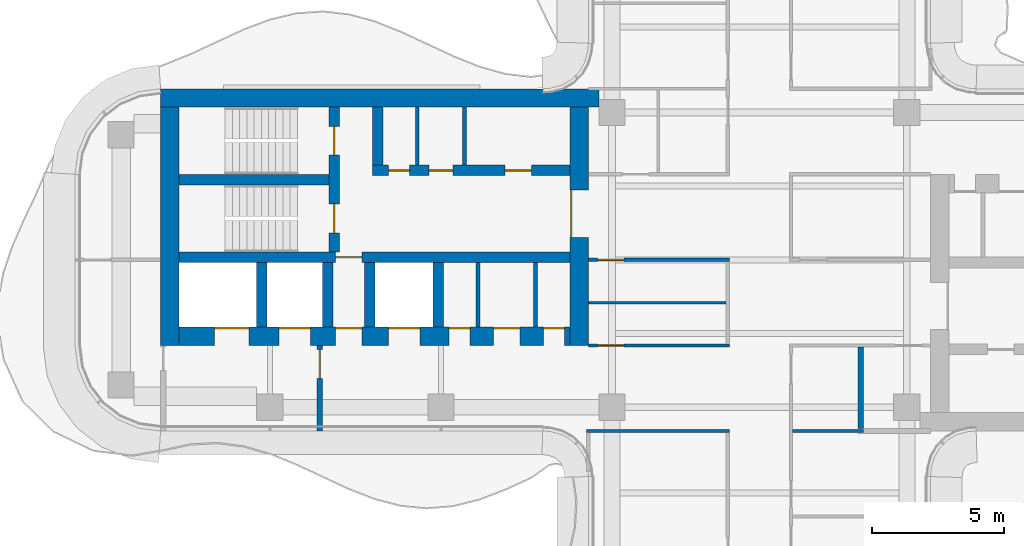
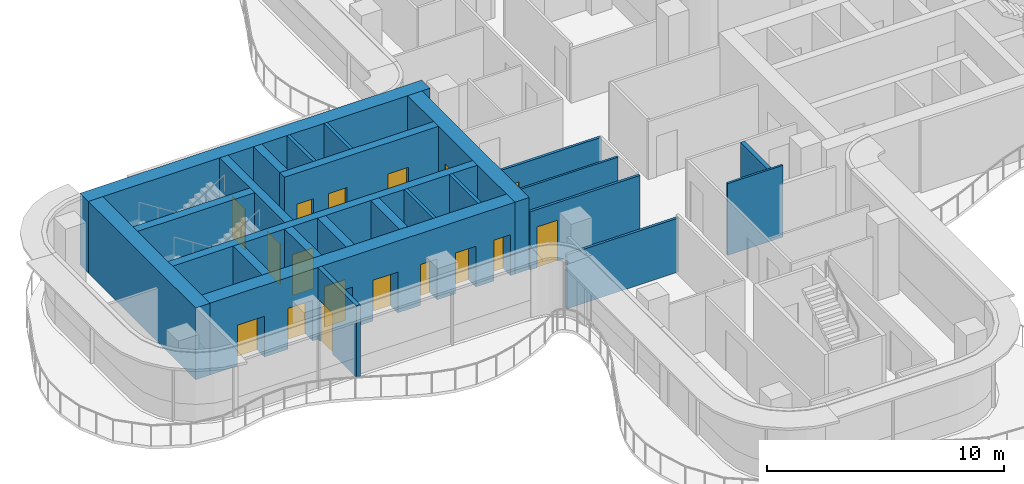
# One storey, part 11 of 16: 24 walls, 17 doors, 17 openings.
"""IFC4 building model written with IfcOpenShell, lengths in metres."""

import ifcopenshell
import ifcopenshell.guid

model = None  # the IFC model being written
_history = None  # IfcOwnerHistory: only IFC2X3 demands one
_inside = {}  # id of a spatial element -> (the spatial element, [elements in it])
_under = {}  # id of a project, library or spatial element -> (it, [spatial elements below it])
_declared = {}  # id of a project -> (the project, [libraries it declares])
_typed = {}  # id of a type object -> (the type object, [elements of that type])
_made_of = {}  # id of a material, layer set ... -> (it, [elements and type objects made of it])


def new_model(schema):
    """Start an empty IFC model of exactly this schema.

    Asked for "IFC4X3", IfcOpenShell would pick the latest addendum, in which some entities
    have other attributes; the version numbers below select the first issue.
    IFC2X3 requires an IfcOwnerHistory on every rooted entity: one is made here for all.
    """
    global model, _history
    if schema == "IFC4X3":
        model = ifcopenshell.file(schema_version=(4, 3, 0, 0))
    else:
        model = ifcopenshell.file(schema=schema)
    _inside.clear()
    _under.clear()
    _declared.clear()
    _typed.clear()
    _made_of.clear()
    _history = None
    if model.schema == "IFC2X3":
        org = make("IfcOrganization", Name="unknown")
        user = make(
            "IfcPersonAndOrganization",
            ThePerson=make("IfcPerson", FamilyName="unknown"),
            TheOrganization=org,
        )
        app = make(
            "IfcApplication",
            ApplicationDeveloper=org,
            Version="unknown",
            ApplicationFullName="unknown",
            ApplicationIdentifier="unknown",
        )
        _history = make(
            "IfcOwnerHistory",
            OwningUser=user,
            OwningApplication=app,
            ChangeAction="ADDED",
            CreationDate=0,
        )
    return model


def make(cls, **values):
    """One entity of the class cls with the attributes given. An attribute that is None is left unset."""
    return model.create_entity(
        cls, **{name: value for name, value in values.items() if value is not None}
    )


def rooted(cls, **values):
    """An entity with a GlobalId (a new one), such as an element, a storey or a relation."""
    return make(cls, GlobalId=ifcopenshell.guid.new(), OwnerHistory=_history, **values)


def si_unit(unit_type, name, prefix=None):
    """IfcSIUnit, for example si_unit("LENGTHUNIT", "METRE", prefix="MILLI")."""
    return make("IfcSIUnit", UnitType=unit_type, Prefix=prefix, Name=name)


def assignment(units):
    """IfcUnitAssignment: the units of a project."""
    return None if units is None else make("IfcUnitAssignment", Units=units)


def point(xyz):
    """IfcCartesianPoint."""
    return None if xyz is None else make("IfcCartesianPoint", Coordinates=xyz)


def direction(xyz):
    """IfcDirection."""
    return None if xyz is None else make("IfcDirection", DirectionRatios=xyz)


def frame(location, z_axis=None, x_axis=None):
    """IfcAxis2Placement3D, a coordinate frame: its origin and axes. An axis left out is left unset."""
    return make(
        "IfcAxis2Placement3D",
        Location=point(location),
        Axis=direction(z_axis),
        RefDirection=direction(x_axis),
    )


def frame_2d(location, x_axis=None):
    """IfcAxis2Placement2D, a coordinate frame in the plane: its origin and x axis."""
    return make(
        "IfcAxis2Placement2D", Location=point(location), RefDirection=direction(x_axis)
    )


def origin():
    """The frame at (0, 0, 0) with its axes left unset."""
    return frame((0.0, 0.0, 0.0))


def place(relative_to, where):
    """IfcLocalPlacement: puts the frame where relative to a parent placement (None: the world)."""
    return make(
        "IfcLocalPlacement", PlacementRelTo=relative_to, RelativePlacement=where
    )


def context(
    kind, dimensions, precision=None, world=None, true_north=None, identifier=None
):
    """IfcGeometricRepresentationContext, for example the 3D "Model" context."""
    return make(
        "IfcGeometricRepresentationContext",
        ContextIdentifier=identifier,
        ContextType=kind,
        CoordinateSpaceDimension=dimensions,
        Precision=precision,
        WorldCoordinateSystem=world,
        TrueNorth=true_north,
    )


def subcontext(parent, identifier, kind, view, scale=None):
    """IfcGeometricRepresentationSubContext, for example "Body" below "Model"."""
    return make(
        "IfcGeometricRepresentationSubContext",
        ContextIdentifier=identifier,
        ContextType=kind,
        ParentContext=parent,
        TargetScale=scale,
        TargetView=view,
    )


def project(units=None, contexts=None):
    """IfcProject with its units and contexts."""
    return rooted(
        "IfcProject",
        Name="project",
        RepresentationContexts=contexts,
        UnitsInContext=assignment(units),
    )


def spatial(cls, under=None, at=None, **own):
    """A site, building, storey or space (cls), placed at a placement, below another one or the project."""
    s = rooted(cls, ObjectPlacement=at, **own)
    if under is not None:
        _under.setdefault(under.id(), (under, []))[1].append(s)
    return s


def profile(cls, at=None, kind="AREA", **sizes):
    """A parametric profile (cls). Its sizes go by their IFC names, for example OverallWidth=200.0."""
    return make(cls, ProfileType=kind, Position=at, **sizes)


def rectangle(**sizes):
    """IfcRectangleProfileDef."""
    return profile("IfcRectangleProfileDef", **sizes)


def extrude(swept, where, along, depth):
    """IfcExtrudedAreaSolid: the profile swept, set in the frame where, extruded along a direction by depth."""
    return make(
        "IfcExtrudedAreaSolid",
        SweptArea=swept,
        Position=where,
        ExtrudedDirection=direction(along),
        Depth=depth,
    )


def shape(context_of_items, identifier, shape_type, items):
    """IfcShapeRepresentation: the items that make up one representation, for example the "Body"."""
    return make(
        "IfcShapeRepresentation",
        ContextOfItems=context_of_items,
        RepresentationIdentifier=identifier,
        RepresentationType=shape_type,
        Items=items,
    )


def source(mapping_origin, context_of_items, identifier, shape_type, items):
    """IfcRepresentationMap: a shape defined once, which mapped items show again and again."""
    return make(
        "IfcRepresentationMap",
        MappingOrigin=mapping_origin,
        MappedRepresentation=shape(context_of_items, identifier, shape_type, items),
    )


def transform(
    local_origin,
    x_axis=None,
    y_axis=None,
    z_axis=None,
    scale=None,
    scale2=None,
    scale3=None,
    uniform=True,
):
    """IfcCartesianTransformationOperator3D, or its non-uniform kind. x_axis, y_axis, z_axis: its Axis1, 2, 3."""
    if uniform:
        return make(
            "IfcCartesianTransformationOperator3D",
            Axis1=direction(x_axis),
            Axis2=direction(y_axis),
            LocalOrigin=point(local_origin),
            Scale=scale,
            Axis3=direction(z_axis),
        )
    return make(
        "IfcCartesianTransformationOperator3DnonUniform",
        Axis1=direction(x_axis),
        Axis2=direction(y_axis),
        LocalOrigin=point(local_origin),
        Scale=scale,
        Axis3=direction(z_axis),
        Scale2=scale2,
        Scale3=scale3,
    )


def mapped(mapping_source, mapping_target):
    """IfcMappedItem: shows the shape of a source again, moved by a transform."""
    return make(
        "IfcMappedItem", MappingSource=mapping_source, MappingTarget=mapping_target
    )


def material(Name=None, Category=None):
    """IfcMaterial."""
    return make("IfcMaterial", Name=Name, Category=Category)


def layer(
    of_material, thickness, ventilated=None, Name=None, Category=None, Priority=None
):
    """IfcMaterialLayer: one layer of a wall or slab, of a material (None: an air gap)."""
    return make(
        "IfcMaterialLayer",
        Material=of_material,
        LayerThickness=thickness,
        IsVentilated=ventilated,
        Name=Name,
        Category=Category,
        Priority=Priority,
    )


def layer_set(layers, Name=None):
    """IfcMaterialLayerSet."""
    return make("IfcMaterialLayerSet", MaterialLayers=layers, LayerSetName=Name)


def made_of(thing, what):
    """Note that an element or type object is made of a material, layer set ...; save() writes the relation."""
    if what is not None:
        _made_of.setdefault(what.id(), (what, []))[1].append(thing)
    return thing


def type_object(cls, material=None, **own):
    """A type object (cls), such as IfcWallType, which elements share."""
    return made_of(rooted(cls, **own), material)


def element(
    cls,
    number,
    at=None,
    inside=None,
    cuts=None,
    type_object=None,
    material=None,
    context=None,
    identifier="Body",
    shape_type=None,
    held_by="IfcProductDefinitionShape",
    body=None,
    shapes=None,
    **own,
):
    """One element of the class cls, such as IfcWall. Its Tag is "e" and its number.

    at: its placement. inside: the storey or other place that contains it. cuts: it is an
    opening in that element (IfcRelVoidsElement). A single representation is given by context,
    identifier, shape_type and body (its items); several are given by shapes. held_by: the class
    of the entity that holds the representations. save() writes the other relations.
    """
    e = rooted(cls, Tag="e%d" % number, ObjectPlacement=at, **own)
    if body is not None:
        shapes = [shape(context, identifier, shape_type, body)]
    if shapes is not None:
        e.Representation = make(held_by, Representations=shapes)
    if inside is not None:
        _inside.setdefault(inside.id(), (inside, []))[1].append(e)
    if cuts is not None:
        rooted(
            "IfcRelVoidsElement", RelatingBuildingElement=cuts, RelatedOpeningElement=e
        )
    if type_object is not None:
        _typed.setdefault(type_object.id(), (type_object, []))[1].append(e)
    return made_of(e, material)


def fill(opening, filler):
    """IfcRelFillsElement: the door or window that sits in an opening."""
    return rooted(
        "IfcRelFillsElement",
        RelatingOpeningElement=opening,
        RelatedBuildingElement=filler,
    )


def aggregate(whole, parts):
    """IfcRelAggregates: a whole, such as a stair, and the parts it consists of."""
    return rooted("IfcRelAggregates", RelatingObject=whole, RelatedObjects=parts)


def save(model, path):
    """Write the relations noted so far, then the file.

    IfcRelAggregates (storeys below a building ...), IfcRelContainedInSpatialStructure (elements
    in a storey), IfcRelDefinesByType, IfcRelAssociatesMaterial and IfcRelDeclares: one each for
    every whole, place, type object, material and project.
    """
    for whole, parts in _under.values():
        aggregate(whole, parts)
    for where, things in _inside.values():
        rooted(
            "IfcRelContainedInSpatialStructure",
            RelatedElements=things,
            RelatingStructure=where,
        )
    for kind, things in _typed.values():
        rooted("IfcRelDefinesByType", RelatedObjects=things, RelatingType=kind)
    for what, things in _made_of.values():
        rooted("IfcRelAssociatesMaterial", RelatedObjects=things, RelatingMaterial=what)
    for by, libraries in _declared.values():
        rooted("IfcRelDeclares", RelatingContext=by, RelatedDefinitions=libraries)
    model.write(path)


model = new_model("IFC4")

# Units and contexts
model_context = context("Model", 3, precision=1e-05, world=origin(), true_north=direction((0.0, 1.0)))
body_context = subcontext(model_context, "Body", "Model", "MODEL_VIEW")
ifc_project = project(units=[si_unit("LENGTHUNIT", "METRE"), si_unit("AREAUNIT", "SQUARE_METRE"), si_unit("VOLUMEUNIT", "CUBIC_METRE"), si_unit("PLANEANGLEUNIT", "RADIAN"), si_unit("MASSUNIT", "GRAM", prefix="KILO")], contexts=[model_context])

# Site, building, storey
site_placement = place(None, origin())
site = spatial("IfcSite", under=ifc_project, at=site_placement, CompositionType="ELEMENT")
building_placement = place(site_placement, origin())
building = spatial("IfcBuilding", under=site, at=building_placement, Name="Trellis Farm Tower", CompositionType="ELEMENT")
storey_placement = place(building_placement, frame((0.0, 0.0, 298.89990234375)))
storey = spatial("IfcBuildingStorey", under=building, at=storey_placement, Name="L67", CompositionType="ELEMENT", Elevation=298.89990234375)

# Wall
ifc_material_1 = material(Name="Plasterboard on steel studs", Category="steel")
ifc_layer_1 = layer(ifc_material_1, 0.10009765625)
ifc_layer_set_1 = layer_set([ifc_layer_1], Name="PARTITION 100 STUD EI 30")
wall_type_1 = type_object("IfcWallType", Name="PARTITION 100 STUD EI 30", PredefinedType="PARTITIONING", material=ifc_layer_set_1)
wall_1_placement = place(storey_placement, frame((1.262451171875, -6.5, 0.0), z_axis=(0.0, 0.0, 1.0), x_axis=(1.0, 0.0, 0.0)))
element("IfcWall", 1, at=wall_1_placement, inside=storey, type_object=wall_type_1, Name="Partition PW2", PredefinedType="PARTITIONING", context=body_context, shape_type="SweptSolid", body=[
    extrude(rectangle(XDim=2.6875, YDim=0.10009765625, at=frame_2d((1.34375, 0.0))), origin(), (0.0, 0.0, 1.0), 3.7001953125),
])

# Wall, opening, door
ifc_material_2 = material(Name="Concrete C50/60", Category="concrete")
ifc_layer_2 = layer(ifc_material_2, 0.699951171875)
ifc_layer_set_2 = layer_set([ifc_layer_2], Name="CORE OUTER WALL 700 CONCRETE C50/60")
wall_type_2 = type_object("IfcWallType", Name="CORE OUTER WALL 700 CONCRETE C50/60", PredefinedType="SHEAR", material=ifc_layer_set_2)
shared_shape_1 = source(origin(), body_context, "Body", "SweptSolid", [
    extrude(rectangle(XDim=9.050048828125, YDim=0.699951171875, at=frame_2d((4.52490234375, 0.0))), origin(), (0.0, 0.0, 1.0), 3.7001953125),
])
wall_2_placement = place(storey_placement, frame((-6.85009765625, 5.800048828125, 0.0), z_axis=(0.0, 0.0, 1.0), x_axis=(0.0, -1.0, 0.0)))
wall_2 = element("IfcWall", 2, at=wall_2_placement, inside=storey, type_object=wall_type_2, Name="Core wall", PredefinedType="SHEAR", context=body_context, shape_type="MappedRepresentation", body=[
    mapped(shared_shape_1, transform((0.0, 0.0, 0.0))),
])
shared_shape_2 = source(origin(), body_context, "Body", "SweptSolid", [
    extrude(rectangle(XDim=1.800048828125, YDim=2.10009765625, at=frame_2d((0.89990234375, 1.050048828125))), frame((0.0, 0.360107421875, 0.0), z_axis=(0.0, -1.0, 0.0), x_axis=(1.0, 0.0, 0.0)), (0.0, 0.0, 1.0), 0.72021484375),
])
opening_1_placement = place(wall_2_placement, frame((3.14990234375, 0.0, 0.0)))
opening_1 = element("IfcOpeningElement", 3, at=opening_1_placement, cuts=wall_2, Name="Opening DC87", PredefinedType="OPENING", context=body_context, shape_type="MappedRepresentation", body=[
    mapped(shared_shape_2, transform((0.0, 0.0, 0.0))),
])
ifc_material_3 = material(Name="Steel", Category="steel")
door_type_1 = type_object("IfcDoorType", Name="CORE FIRE DOOR DOUBLE 1800 X 2100", OperationType="DOUBLE_DOOR_SINGLE_SWING", PredefinedType="DOOR", material=ifc_material_3)
shared_shape_3 = source(origin(), body_context, "Body", "SweptSolid", [
    extrude(rectangle(XDim=1.800048828125, YDim=2.10009765625, at=frame_2d((0.89990234375, 1.050048828125))), frame((0.0, -0.27490234375, 0.0), z_axis=(0.0, -1.0, 0.0), x_axis=(1.0, 0.0, 0.0)), (0.0, 0.0, 1.0), 0.050048828125),
])
door_1_placement = place(opening_1_placement, origin())
door_1 = element("IfcDoor", 4, at=door_1_placement, inside=storey, type_object=door_type_1, Name="Core door", OperationType="DOUBLE_DOOR_SINGLE_SWING", OverallHeight=2.10009765625, OverallWidth=1.800048828125, PredefinedType="DOOR", context=body_context, shape_type="MappedRepresentation", body=[
    mapped(shared_shape_3, transform((0.0, 0.0, 0.0))),
])
fill(opening_1, door_1)

# Walls
wall_3_placement = place(storey_placement, frame((-22.39990234375, 5.800048828125, 0.0), z_axis=(0.0, 0.0, 1.0), x_axis=(0.0, -1.0, 0.0)))
element("IfcWall", 5, at=wall_3_placement, inside=storey, type_object=wall_type_2, Name="Core wall", PredefinedType="SHEAR", context=body_context, shape_type="MappedRepresentation", body=[
    mapped(shared_shape_1, transform((0.0, 0.0, 0.0))),
])
ifc_layer_3 = layer(ifc_material_2, 0.39990234375)
ifc_layer_set_3 = layer_set([ifc_layer_3], Name="CORE INNER WALL 400 CONCRETE C50/60")
wall_type_3 = type_object("IfcWallType", Name="CORE INNER WALL 400 CONCRETE C50/60", PredefinedType="SHEAR", material=ifc_layer_set_3)
shared_shape_4 = source(origin(), body_context, "Body", "SweptSolid", [
    extrude(rectangle(XDim=2.449951171875, YDim=0.39990234375, at=frame_2d((1.22509765625, 0.0))), origin(), (0.0, 0.0, 1.0), 3.7001953125),
])
for number, where, z_axis, x_axis, name in (
    (6, (-12.199951171875, -0.10009765625, 0.0), (0.0, 0.0, 1.0), (0.0, -1.0, 0.0), "Core wall"),
    (7, (-14.800048828125, -0.10009765625, 0.0), (0.0, 0.0, 1.0), (0.0, -1.0, 0.0), "Core wall"),
    (8, (-16.39990234375, -0.10009765625, 0.0), (0.0, 0.0, 1.0), (0.0, -1.0, 0.0), "Core wall"),
    (9, (-18.89990234375, -0.10009765625, 0.0), (0.0, 0.0, 1.0), (0.0, -1.0, 0.0), "Core wall"),
):
    element("IfcWall", number, at=place(storey_placement, frame(where, z_axis=z_axis, x_axis=x_axis)), inside=storey, type_object=wall_type_3, Name=name, PredefinedType="SHEAR", context=body_context, shape_type="MappedRepresentation", body=[
        mapped(shared_shape_4, transform((0.0, 0.0, 0.0))),
    ])

# Wall, opening, door
ifc_material_4 = material(Name="Masonry blockwork", Category="masonry")
ifc_layer_4 = layer(ifc_material_4, 0.199951171875)
ifc_layer_set_4 = layer_set([ifc_layer_4], Name="FIRE LOBBY PARTITION 200 BLOCKWORK")
wall_type_4 = type_object("IfcWallType", Name="FIRE LOBBY PARTITION 200 BLOCKWORK", PredefinedType="PARTITIONING", material=ifc_layer_set_4)
shared_shape_5 = source(origin(), body_context, "Body", "SweptSolid", [
    extrude(rectangle(XDim=3.25, YDim=0.199951171875, at=frame_2d((1.625, 0.0))), origin(), (0.0, 0.0, 1.0), 3.7001953125),
])
wall_4_placement = place(storey_placement, frame((-16.699951171875, -3.25, 0.0), z_axis=(0.0, 0.0, 1.0), x_axis=(0.0, -1.0, 0.0)))
wall_4 = element("IfcWall", 10, at=wall_4_placement, inside=storey, type_object=wall_type_4, Name="Fire-fighting lobby partition", PredefinedType="PARTITIONING", context=body_context, shape_type="MappedRepresentation", body=[
    mapped(shared_shape_5, transform((0.0, 0.0, 0.0))),
])
shared_shape_6 = source(origin(), body_context, "Body", "SweptSolid", [
    extrude(rectangle(XDim=1.10009765625, YDim=2.10009765625, at=frame_2d((0.550048828125, 1.050048828125))), frame((0.0, 0.110107421875, 0.0), z_axis=(0.0, -1.0, 0.0), x_axis=(1.0, 0.0, 0.0)), (0.0, 0.0, 1.0), 0.22021484375),
])
opening_2_placement = place(wall_4_placement, frame((0.14990234375, 0.0, 0.0)))
opening_2 = element("IfcOpeningElement", 11, at=opening_2_placement, cuts=wall_4, Name="Opening DC93", PredefinedType="OPENING", context=body_context, shape_type="MappedRepresentation", body=[
    mapped(shared_shape_6, transform((0.0, 0.0, 0.0))),
])
door_type_2 = type_object("IfcDoorType", Name="CORE FIRE DOOR 1100 X 2100", OperationType="NOTDEFINED", PredefinedType="DOOR", material=ifc_material_3)
shared_shape_7 = source(origin(), body_context, "Body", "SweptSolid", [
    extrude(rectangle(XDim=1.10009765625, YDim=2.10009765625, at=frame_2d((0.550048828125, 1.050048828125))), frame((0.0, 0.02490234375, 0.0), z_axis=(0.0, -1.0, 0.0), x_axis=(1.0, 0.0, 0.0)), (0.0, 0.0, 1.0), 0.050048828125),
])
door_2_placement = place(opening_2_placement, origin())
door_2 = element("IfcDoor", 12, at=door_2_placement, inside=storey, type_object=door_type_2, Name="Core door", OperationType="SINGLE_SWING_RIGHT", OverallHeight=2.10009765625, OverallWidth=1.10009765625, PredefinedType="DOOR", context=body_context, shape_type="MappedRepresentation", body=[
    mapped(shared_shape_7, transform((0.0, 0.0, 0.0))),
])
fill(opening_2, door_2)

# Wall, openings, doors
shared_shape_8 = source(origin(), body_context, "Body", "SweptSolid", [
    extrude(rectangle(XDim=14.85009765625, YDim=0.699951171875, at=frame_2d((7.425048828125, 0.0))), origin(), (0.0, 0.0, 1.0), 3.7001953125),
])
wall_5_placement = place(storey_placement, frame((-7.199951171875, -2.89990234375, 0.0), z_axis=(0.0, 0.0, 1.0), x_axis=(-1.0, 0.0, 0.0)))
wall_5 = element("IfcWall", 13, at=wall_5_placement, inside=storey, type_object=wall_type_2, Name="Core wall", PredefinedType="SHEAR", context=body_context, shape_type="MappedRepresentation", body=[
    mapped(shared_shape_8, transform((0.0, 0.0, 0.0))),
])
shared_shape_9 = source(origin(), body_context, "Body", "SweptSolid", [
    extrude(rectangle(XDim=1.199951171875, YDim=2.10009765625, at=frame_2d((0.60009765625, 1.050048828125))), frame((0.0, 0.360107421875, 0.0), z_axis=(0.0, -1.0, 0.0), x_axis=(1.0, 0.0, 0.0)), (0.0, 0.0, 1.0), 0.72021484375),
])
opening_3_placement = place(wall_5_placement, frame((5.699951171875, 0.0, 0.0)))
opening_3 = element("IfcOpeningElement", 14, at=opening_3_placement, cuts=wall_5, Name="Opening LD14", PredefinedType="OPENING", context=body_context, shape_type="MappedRepresentation", body=[
    mapped(shared_shape_9, transform((0.0, 0.0, 0.0))),
])
shared_shape_10 = source(origin(), body_context, "Body", "SweptSolid", [
    extrude(rectangle(XDim=1.300048828125, YDim=2.10009765625, at=frame_2d((0.64990234375, 1.050048828125))), frame((0.0, 0.360107421875, 0.0), z_axis=(0.0, -1.0, 0.0), x_axis=(1.0, 0.0, 0.0)), (0.0, 0.0, 1.0), 0.72021484375),
])
opening_4_placement = place(wall_5_placement, frame((12.199951171875, 0.0, 0.0)))
opening_4 = element("IfcOpeningElement", 15, at=opening_4_placement, cuts=wall_5, Name="Opening LD15", PredefinedType="OPENING", context=body_context, shape_type="MappedRepresentation", body=[
    mapped(shared_shape_10, transform((0.0, 0.0, 0.0))),
])
opening_5_placement = place(wall_5_placement, frame((9.85009765625, 0.0, 0.0)))
opening_5 = element("IfcOpeningElement", 16, at=opening_5_placement, cuts=wall_5, Name="Opening LD16", PredefinedType="OPENING", context=body_context, shape_type="MappedRepresentation", body=[
    mapped(shared_shape_9, transform((0.0, 0.0, 0.0))),
])
shared_shape_11 = source(origin(), body_context, "Body", "SweptSolid", [
    extrude(rectangle(XDim=1.0, YDim=2.10009765625, at=frame_2d((0.5, 1.050048828125))), frame((0.0, 0.360107421875, 0.0), z_axis=(0.0, -1.0, 0.0), x_axis=(1.0, 0.0, 0.0)), (0.0, 0.0, 1.0), 0.72021484375),
])
opening_6_placement = place(wall_5_placement, frame((7.89990234375, 0.0, 0.0)))
opening_6 = element("IfcOpeningElement", 17, at=opening_6_placement, cuts=wall_5, Name="Opening DC92", PredefinedType="OPENING", context=body_context, shape_type="MappedRepresentation", body=[
    mapped(shared_shape_11, transform((0.0, 0.0, 0.0))),
])
shared_shape_12 = source(origin(), body_context, "Body", "SweptSolid", [
    extrude(rectangle(XDim=0.800048828125, YDim=2.10009765625, at=frame_2d((0.39990234375, 1.050048828125))), frame((0.0, 0.360107421875, 0.0), z_axis=(0.0, -1.0, 0.0), x_axis=(1.0, 0.0, 0.0)), (0.0, 0.0, 1.0), 0.72021484375),
])
opening_7_placement = place(wall_5_placement, frame((0.21240234375, 0.0, 0.0)))
opening_7 = element("IfcOpeningElement", 18, at=opening_7_placement, cuts=wall_5, Name="Opening DC96", PredefinedType="OPENING", context=body_context, shape_type="MappedRepresentation", body=[
    mapped(shared_shape_12, transform((0.0, 0.0, 0.0))),
])
opening_8_placement = place(wall_5_placement, frame((1.89990234375, 0.0, 0.0)))
opening_8 = element("IfcOpeningElement", 19, at=opening_8_placement, cuts=wall_5, Name="Opening DC105", PredefinedType="OPENING", context=body_context, shape_type="MappedRepresentation", body=[
    mapped(shared_shape_11, transform((0.0, 0.0, 0.0))),
])
opening_9_placement = place(wall_5_placement, frame((3.78759765625, 0.0, 0.0)))
opening_9 = element("IfcOpeningElement", 20, at=opening_9_placement, cuts=wall_5, Name="Opening DC108", PredefinedType="OPENING", context=body_context, shape_type="MappedRepresentation", body=[
    mapped(shared_shape_12, transform((0.0, 0.0, 0.0))),
])
door_type_3 = type_object("IfcDoorType", Name="CORE FIRE DOOR 1000 X 2100", OperationType="NOTDEFINED", PredefinedType="DOOR", material=ifc_material_3)
shared_shape_13 = source(origin(), body_context, "Body", "SweptSolid", [
    extrude(rectangle(XDim=1.0, YDim=2.10009765625, at=frame_2d((0.5, 1.050048828125))), frame((0.0, -0.27490234375, 0.0), z_axis=(0.0, -1.0, 0.0), x_axis=(1.0, 0.0, 0.0)), (0.0, 0.0, 1.0), 0.050048828125),
])
door_3_placement = place(opening_6_placement, origin())
door_3 = element("IfcDoor", 21, at=door_3_placement, inside=storey, type_object=door_type_3, Name="Core door", OperationType="SINGLE_SWING_LEFT", OverallHeight=2.10009765625, OverallWidth=1.0, PredefinedType="DOOR", context=body_context, shape_type="MappedRepresentation", body=[
    mapped(shared_shape_13, transform((0.0, 0.0, 0.0))),
])
fill(opening_6, door_3)
door_4_placement = place(opening_8_placement, origin())
door_4 = element("IfcDoor", 22, at=door_4_placement, inside=storey, type_object=door_type_3, Name="Core door", OperationType="SINGLE_SWING_LEFT", OverallHeight=2.10009765625, OverallWidth=1.0, PredefinedType="DOOR", context=body_context, shape_type="MappedRepresentation", body=[
    mapped(shared_shape_13, transform((0.0, 0.0, 0.0))),
])
fill(opening_8, door_4)
ifc_material_5 = material(Name="Stainless steel", Category="steel")
door_type_4 = type_object("IfcDoorType", Name="LIFT LANDING DOOR 1300 X 2100", OperationType="DOUBLE_DOOR_SLIDING", PredefinedType="DOOR", material=ifc_material_5)
shared_shape_14 = source(origin(), body_context, "Body", "SweptSolid", [
    extrude(rectangle(XDim=1.300048828125, YDim=2.10009765625, at=frame_2d((0.64990234375, 1.050048828125))), frame((0.0, -0.27490234375, 0.0), z_axis=(0.0, -1.0, 0.0), x_axis=(1.0, 0.0, 0.0)), (0.0, 0.0, 1.0), 0.050048828125),
])
door_5_placement = place(opening_4_placement, origin())
door_5 = element("IfcDoor", 23, at=door_5_placement, inside=storey, type_object=door_type_4, Name="Lift landing door", OperationType="DOUBLE_DOOR_SLIDING", OverallHeight=2.10009765625, OverallWidth=1.300048828125, PredefinedType="DOOR", context=body_context, shape_type="MappedRepresentation", body=[
    mapped(shared_shape_14, transform((0.0, 0.0, 0.0))),
])
fill(opening_4, door_5)
door_type_5 = type_object("IfcDoorType", Name="LIFT LANDING DOOR 1200 X 2100", OperationType="DOUBLE_DOOR_SLIDING", PredefinedType="DOOR", material=ifc_material_5)
shared_shape_15 = source(origin(), body_context, "Body", "SweptSolid", [
    extrude(rectangle(XDim=1.199951171875, YDim=2.10009765625, at=frame_2d((0.60009765625, 1.050048828125))), frame((0.0, -0.27490234375, 0.0), z_axis=(0.0, -1.0, 0.0), x_axis=(1.0, 0.0, 0.0)), (0.0, 0.0, 1.0), 0.050048828125),
])
door_6_placement = place(opening_3_placement, origin())
door_6 = element("IfcDoor", 24, at=door_6_placement, inside=storey, type_object=door_type_5, Name="Lift landing door", OperationType="DOUBLE_DOOR_SLIDING", OverallHeight=2.10009765625, OverallWidth=1.199951171875, PredefinedType="DOOR", context=body_context, shape_type="MappedRepresentation", body=[
    mapped(shared_shape_15, transform((0.0, 0.0, 0.0))),
])
fill(opening_3, door_6)
door_7_placement = place(opening_5_placement, origin())
door_7 = element("IfcDoor", 25, at=door_7_placement, inside=storey, type_object=door_type_5, Name="Lift landing door", OperationType="DOUBLE_DOOR_SLIDING", OverallHeight=2.10009765625, OverallWidth=1.199951171875, PredefinedType="DOOR", context=body_context, shape_type="MappedRepresentation", body=[
    mapped(shared_shape_15, transform((0.0, 0.0, 0.0))),
])
fill(opening_5, door_7)
door_type_6 = type_object("IfcDoorType", Name="CORE FIRE DOOR 800 X 2100", OperationType="NOTDEFINED", PredefinedType="DOOR", material=ifc_material_3)
shared_shape_16 = source(origin(), body_context, "Body", "SweptSolid", [
    extrude(rectangle(XDim=0.800048828125, YDim=2.10009765625, at=frame_2d((0.39990234375, 1.050048828125))), frame((0.0, -0.27490234375, 0.0), z_axis=(0.0, -1.0, 0.0), x_axis=(1.0, 0.0, 0.0)), (0.0, 0.0, 1.0), 0.050048828125),
])
door_8_placement = place(opening_7_placement, origin())
door_8 = element("IfcDoor", 26, at=door_8_placement, inside=storey, type_object=door_type_6, Name="Core door", OperationType="SINGLE_SWING_RIGHT", OverallHeight=2.10009765625, OverallWidth=0.800048828125, PredefinedType="DOOR", context=body_context, shape_type="MappedRepresentation", body=[
    mapped(shared_shape_16, transform((0.0, 0.0, 0.0))),
])
fill(opening_7, door_8)
door_9_placement = place(opening_9_placement, origin())
door_9 = element("IfcDoor", 27, at=door_9_placement, inside=storey, type_object=door_type_6, Name="Core door", OperationType="SINGLE_SWING_RIGHT", OverallHeight=2.10009765625, OverallWidth=0.800048828125, PredefinedType="DOOR", context=body_context, shape_type="MappedRepresentation", body=[
    mapped(shared_shape_16, transform((0.0, 0.0, 0.0))),
])
fill(opening_9, door_9)

shared_shape_17 = source(origin(), body_context, "Body", "SweptSolid", [
    extrude(rectangle(XDim=7.5, YDim=0.39990234375, at=frame_2d((3.75, 0.0))), origin(), (0.0, 0.0, 1.0), 3.7001953125),
])
wall_6_placement = place(storey_placement, frame((-7.199951171875, 3.39990234375, 0.0), z_axis=(0.0, 0.0, 1.0), x_axis=(-1.0, 0.0, 0.0)))
wall_6 = element("IfcWall", 28, at=wall_6_placement, inside=storey, type_object=wall_type_3, Name="Core wall", PredefinedType="SHEAR", context=body_context, shape_type="MappedRepresentation", body=[
    mapped(shared_shape_17, transform((0.0, 0.0, 0.0))),
])
shared_shape_18 = source(origin(), body_context, "Body", "SweptSolid", [
    extrude(rectangle(XDim=1.0, YDim=2.10009765625, at=frame_2d((0.5, 1.050048828125))), frame((0.0, 0.2099609375, 0.0), z_axis=(0.0, -1.0, 0.0), x_axis=(1.0, 0.0, 0.0)), (0.0, 0.0, 1.0), 0.419921875),
])
opening_10_placement = place(wall_6_placement, frame((1.46240234375, 0.0, 0.0)))
opening_10 = element("IfcOpeningElement", 29, at=opening_10_placement, cuts=wall_6, Name="Opening DC141", PredefinedType="OPENING", context=body_context, shape_type="MappedRepresentation", body=[
    mapped(shared_shape_18, transform((0.0, 0.0, 0.0))),
])
shared_shape_19 = source(origin(), body_context, "Body", "SweptSolid", [
    extrude(rectangle(XDim=0.89990234375, YDim=2.10009765625, at=frame_2d((0.449951171875, 1.050048828125))), frame((0.0, 0.2099609375, 0.0), z_axis=(0.0, -1.0, 0.0), x_axis=(1.0, 0.0, 0.0)), (0.0, 0.0, 1.0), 0.419921875),
])
opening_11_placement = place(wall_6_placement, frame((4.449951171875, 0.0, 0.0)))
opening_11 = element("IfcOpeningElement", 30, at=opening_11_placement, cuts=wall_6, Name="Opening DC146", PredefinedType="OPENING", context=body_context, shape_type="MappedRepresentation", body=[
    mapped(shared_shape_19, transform((0.0, 0.0, 0.0))),
])
shared_shape_20 = source(origin(), body_context, "Body", "SweptSolid", [
    extrude(rectangle(XDim=0.800048828125, YDim=2.10009765625, at=frame_2d((0.39990234375, 1.050048828125))), frame((0.0, 0.2099609375, 0.0), z_axis=(0.0, -1.0, 0.0), x_axis=(1.0, 0.0, 0.0)), (0.0, 0.0, 1.0), 0.419921875),
])
opening_12_placement = place(wall_6_placement, frame((6.08740234375, 0.0, 0.0)))
opening_12 = element("IfcOpeningElement", 31, at=opening_12_placement, cuts=wall_6, Name="Opening DC149", PredefinedType="OPENING", context=body_context, shape_type="MappedRepresentation", body=[
    mapped(shared_shape_20, transform((0.0, 0.0, 0.0))),
])
shared_shape_21 = source(origin(), body_context, "Body", "SweptSolid", [
    extrude(rectangle(XDim=1.0, YDim=2.10009765625, at=frame_2d((0.5, 1.050048828125))), frame((0.0, 0.02490234375, 0.0), z_axis=(0.0, -1.0, 0.0), x_axis=(1.0, 0.0, 0.0)), (0.0, 0.0, 1.0), 0.050048828125),
])
door_10_placement = place(opening_10_placement, origin())
door_10 = element("IfcDoor", 32, at=door_10_placement, inside=storey, type_object=door_type_3, Name="Core door", OperationType="SINGLE_SWING_LEFT", OverallHeight=2.10009765625, OverallWidth=1.0, PredefinedType="DOOR", context=body_context, shape_type="MappedRepresentation", body=[
    mapped(shared_shape_21, transform((0.0, 0.0, 0.0))),
])
fill(opening_10, door_10)
door_type_7 = type_object("IfcDoorType", Name="CORE FIRE DOOR 900 X 2100", OperationType="NOTDEFINED", PredefinedType="DOOR", material=ifc_material_3)
shared_shape_22 = source(origin(), body_context, "Body", "SweptSolid", [
    extrude(rectangle(XDim=0.89990234375, YDim=2.10009765625, at=frame_2d((0.449951171875, 1.050048828125))), frame((0.0, 0.02490234375, 0.0), z_axis=(0.0, -1.0, 0.0), x_axis=(1.0, 0.0, 0.0)), (0.0, 0.0, 1.0), 0.050048828125),
])
door_11_placement = place(opening_11_placement, origin())
door_11 = element("IfcDoor", 33, at=door_11_placement, inside=storey, type_object=door_type_7, Name="Core door", OperationType="SINGLE_SWING_RIGHT", OverallHeight=2.10009765625, OverallWidth=0.89990234375, PredefinedType="DOOR", context=body_context, shape_type="MappedRepresentation", body=[
    mapped(shared_shape_22, transform((0.0, 0.0, 0.0))),
])
fill(opening_11, door_11)
shared_shape_23 = source(origin(), body_context, "Body", "SweptSolid", [
    extrude(rectangle(XDim=0.800048828125, YDim=2.10009765625, at=frame_2d((0.39990234375, 1.050048828125))), frame((0.0, 0.02490234375, 0.0), z_axis=(0.0, -1.0, 0.0), x_axis=(1.0, 0.0, 0.0)), (0.0, 0.0, 1.0), 0.050048828125),
])
door_12_placement = place(opening_12_placement, origin())
door_12 = element("IfcDoor", 34, at=door_12_placement, inside=storey, type_object=door_type_6, Name="Core door", OperationType="SINGLE_SWING_LEFT", OverallHeight=2.10009765625, OverallWidth=0.800048828125, PredefinedType="DOOR", context=body_context, shape_type="MappedRepresentation", body=[
    mapped(shared_shape_23, transform((0.0, 0.0, 0.0))),
])
fill(opening_12, door_12)

# Wall, opening, door
shared_shape_24 = source(origin(), body_context, "Body", "SweptSolid", [
    extrude(rectangle(XDim=14.85009765625, YDim=0.39990234375, at=frame_2d((7.425048828125, 0.0))), origin(), (0.0, 0.0, 1.0), 3.7001953125),
])
wall_7_placement = place(storey_placement, frame((-7.199951171875, 0.10009765625, 0.0), z_axis=(0.0, 0.0, 1.0), x_axis=(-1.0, 0.0, 0.0)))
wall_7 = element("IfcWall", 35, at=wall_7_placement, inside=storey, type_object=wall_type_3, Name="Core wall", PredefinedType="SHEAR", context=body_context, shape_type="MappedRepresentation", body=[
    mapped(shared_shape_24, transform((0.0, 0.0, 0.0))),
])
opening_13_placement = place(wall_7_placement, frame((7.89990234375, 0.0, 0.0)))
opening_13 = element("IfcOpeningElement", 36, at=opening_13_placement, cuts=wall_7, Name="Opening DC91", PredefinedType="OPENING", context=body_context, shape_type="MappedRepresentation", body=[
    mapped(shared_shape_18, transform((0.0, 0.0, 0.0))),
])
door_13_placement = place(opening_13_placement, origin())
door_13 = element("IfcDoor", 37, at=door_13_placement, inside=storey, type_object=door_type_3, Name="Core door", OperationType="SINGLE_SWING_RIGHT", OverallHeight=2.10009765625, OverallWidth=1.0, PredefinedType="DOOR", context=body_context, shape_type="MappedRepresentation", body=[
    mapped(shared_shape_21, transform((0.0, 0.0, 0.0))),
])
fill(opening_13, door_13)

# Wall, openings, doors
shared_shape_25 = source(origin(), body_context, "Body", "SweptSolid", [
    extrude(rectangle(XDim=5.5, YDim=0.39990234375, at=frame_2d((2.75, 0.0))), origin(), (0.0, 0.0, 1.0), 3.7001953125),
])
wall_8_placement = place(storey_placement, frame((-16.14990234375, 5.800048828125, 0.0), z_axis=(0.0, 0.0, 1.0), x_axis=(0.0, -1.0, 0.0)))
wall_8 = element("IfcWall", 38, at=wall_8_placement, inside=storey, type_object=wall_type_3, Name="Core wall", PredefinedType="SHEAR", context=body_context, shape_type="MappedRepresentation", body=[
    mapped(shared_shape_25, transform((0.0, 0.0, 0.0))),
])
shared_shape_26 = source(origin(), body_context, "Body", "SweptSolid", [
    extrude(rectangle(XDim=1.10009765625, YDim=2.10009765625, at=frame_2d((0.550048828125, 1.050048828125))), frame((0.0, 0.2099609375, 0.0), z_axis=(0.0, -1.0, 0.0), x_axis=(1.0, 0.0, 0.0)), (0.0, 0.0, 1.0), 0.419921875),
])
opening_14_placement = place(wall_8_placement, frame((0.72509765625, 0.0, 0.0)))
opening_14 = element("IfcOpeningElement", 39, at=opening_14_placement, cuts=wall_8, Name="Opening DC88", PredefinedType="OPENING", context=body_context, shape_type="MappedRepresentation", body=[
    mapped(shared_shape_26, transform((0.0, 0.0, 0.0))),
])
opening_15_placement = place(wall_8_placement, frame((3.675048828125, 0.0, 0.0)))
opening_15 = element("IfcOpeningElement", 40, at=opening_15_placement, cuts=wall_8, Name="Opening DC89", PredefinedType="OPENING", context=body_context, shape_type="MappedRepresentation", body=[
    mapped(shared_shape_26, transform((0.0, 0.0, 0.0))),
])
door_14_placement = place(opening_14_placement, origin())
door_14 = element("IfcDoor", 41, at=door_14_placement, inside=storey, type_object=door_type_2, Name="Core door", OperationType="SINGLE_SWING_RIGHT", OverallHeight=2.10009765625, OverallWidth=1.10009765625, PredefinedType="DOOR", context=body_context, shape_type="MappedRepresentation", body=[
    mapped(shared_shape_7, transform((0.0, 0.0, 0.0))),
])
fill(opening_14, door_14)
door_15_placement = place(opening_15_placement, origin())
door_15 = element("IfcDoor", 42, at=door_15_placement, inside=storey, type_object=door_type_2, Name="Core door", OperationType="SINGLE_SWING_LEFT", OverallHeight=2.10009765625, OverallWidth=1.10009765625, PredefinedType="DOOR", context=body_context, shape_type="MappedRepresentation", body=[
    mapped(shared_shape_7, transform((0.0, 0.0, 0.0))),
])
fill(opening_15, door_15)

# Walls
shared_shape_27 = source(origin(), body_context, "Body", "SweptSolid", [
    extrude(rectangle(XDim=5.699951171875, YDim=0.39990234375, at=frame_2d((2.85009765625, 0.0))), origin(), (0.0, 0.0, 1.0), 3.7001953125),
])
wall_9_placement = place(storey_placement, frame((-16.35009765625, 3.050048828125, 0.0), z_axis=(0.0, 0.0, 1.0), x_axis=(-1.0, 0.0, 0.0)))
element("IfcWall", 43, at=wall_9_placement, inside=storey, type_object=wall_type_3, Name="Core wall", PredefinedType="SHEAR", context=body_context, shape_type="MappedRepresentation", body=[
    mapped(shared_shape_27, transform((0.0, 0.0, 0.0))),
])
shared_shape_28 = source(origin(), body_context, "Body", "SweptSolid", [
    extrude(rectangle(XDim=2.199951171875, YDim=0.39990234375, at=frame_2d((1.10009765625, 0.0))), origin(), (0.0, 0.0, 1.0), 3.7001953125),
])
wall_10_placement = place(storey_placement, frame((-14.5, 5.800048828125, 0.0), z_axis=(0.0, 0.0, 1.0), x_axis=(0.0, -1.0, 0.0)))
element("IfcWall", 44, at=wall_10_placement, inside=storey, type_object=wall_type_3, Name="Core wall", PredefinedType="SHEAR", context=body_context, shape_type="MappedRepresentation", body=[
    mapped(shared_shape_28, transform((0.0, 0.0, 0.0))),
])
ifc_layer_5 = layer(ifc_material_4, 0.14990234375)
ifc_layer_set_5 = layer_set([ifc_layer_5], Name="CORE PARTITION 150 BLOCKWORK")
wall_type_5 = type_object("IfcWallType", Name="CORE PARTITION 150 BLOCKWORK", PredefinedType="PARTITIONING", material=ifc_layer_set_5)
shared_shape_29 = source(origin(), body_context, "Body", "SweptSolid", [
    extrude(rectangle(XDim=2.199951171875, YDim=0.14990234375, at=frame_2d((1.10009765625, 0.0))), origin(), (0.0, 0.0, 1.0), 3.7001953125),
])
for number, where, z_axis, x_axis, name in (
    (45, (-11.199951171875, 5.800048828125, 0.0), (0.0, 0.0, 1.0), (0.0, -1.0, 0.0), "Core room partition"),
    (46, (-13.0, 5.800048828125, 0.0), (0.0, 0.0, 1.0), (0.0, -1.0, 0.0), "Core room partition"),
):
    element("IfcWall", number, at=place(storey_placement, frame(where, z_axis=z_axis, x_axis=x_axis)), inside=storey, type_object=wall_type_5, Name=name, PredefinedType="PARTITIONING", context=body_context, shape_type="MappedRepresentation", body=[
        mapped(shared_shape_29, transform((0.0, 0.0, 0.0))),
    ])
shared_shape_30 = source(origin(), body_context, "Body", "SweptSolid", [
    extrude(rectangle(XDim=16.64990234375, YDim=0.699951171875, at=frame_2d((8.324951171875, 0.0))), origin(), (0.0, 0.0, 1.0), 3.7001953125),
])
wall_11_placement = place(storey_placement, frame((-6.10009765625, 6.14990234375, 0.0), z_axis=(0.0, 0.0, 1.0), x_axis=(-1.0, 0.0, 0.0)))
element("IfcWall", 47, at=wall_11_placement, inside=storey, type_object=wall_type_2, Name="Core wall", PredefinedType="SHEAR", context=body_context, shape_type="MappedRepresentation", body=[
    mapped(shared_shape_30, transform((0.0, 0.0, 0.0))),
])
shared_shape_31 = source(origin(), body_context, "Body", "SweptSolid", [
    extrude(rectangle(XDim=2.449951171875, YDim=0.14990234375, at=frame_2d((1.22509765625, 0.0))), origin(), (0.0, 0.0, 1.0), 3.7001953125),
])
for number, where, z_axis, x_axis, name in (
    (48, (-8.5, -0.10009765625, 0.0), (0.0, 0.0, 1.0), (0.0, -1.0, 0.0), "Core room partition"),
    (49, (-10.699951171875, -0.10009765625, 0.0), (0.0, 0.0, 1.0), (0.0, -1.0, 0.0), "Core room partition"),
):
    element("IfcWall", number, at=place(storey_placement, frame(where, z_axis=z_axis, x_axis=x_axis)), inside=storey, type_object=wall_type_5, Name=name, PredefinedType="PARTITIONING", context=body_context, shape_type="MappedRepresentation", body=[
        mapped(shared_shape_31, transform((0.0, 0.0, 0.0))),
    ])

# Wall, opening, door
ifc_material_6 = material(Name="Plasterboard on steel studs, mineral wool", Category="steel")
ifc_layer_6 = layer(ifc_material_6, 0.125)
ifc_layer_set_6 = layer_set([ifc_layer_6], Name="PARTITION 125 STUD EI 60")
wall_type_6 = type_object("IfcWallType", Name="PARTITION 125 STUD EI 60", PredefinedType="PARTITIONING", material=ifc_layer_set_6)
shared_shape_32 = source(origin(), body_context, "Body", "SweptSolid", [
    extrude(rectangle(XDim=5.362548828125, YDim=0.125, at=frame_2d((2.68115234375, 0.0))), origin(), (0.0, 0.0, 1.0), 2.99658203125),
])
wall_12_placement = place(storey_placement, frame((-1.137451171875, -3.25, 0.0), z_axis=(0.0, 0.0, 1.0), x_axis=(-1.0, 0.0, 0.0)))
wall_12 = element("IfcWall", 50, at=wall_12_placement, inside=storey, type_object=wall_type_6, Name="Partition PW1", PredefinedType="PARTITIONING", context=body_context, shape_type="MappedRepresentation", body=[
    mapped(shared_shape_32, transform((0.0, 0.0, 0.0))),
])
shared_shape_33 = source(origin(), body_context, "Body", "SweptSolid", [
    extrude(rectangle(XDim=1.0, YDim=2.10009765625, at=frame_2d((0.5, 1.050048828125))), frame((0.0, 0.072509765625, 0.0), z_axis=(0.0, -1.0, 0.0), x_axis=(1.0, 0.0, 0.0)), (0.0, 0.0, 1.0), 0.14501953125),
])
opening_16_placement = place(wall_12_placement, frame((4.012451171875, 0.0, 0.0)))
opening_16 = element("IfcOpeningElement", 51, at=opening_16_placement, cuts=wall_12, Name="Opening D103", PredefinedType="OPENING", context=body_context, shape_type="MappedRepresentation", body=[
    mapped(shared_shape_33, transform((0.0, 0.0, 0.0))),
])
ifc_material_7 = material(Name="Fire-rated timber door leaf in a hollow metal frame", Category="wood")
door_type_8 = type_object("IfcDoorType", Name="DOOR 1000x2100 FD30S", OperationType="NOTDEFINED", PredefinedType="DOOR", material=ifc_material_7)
door_16_placement = place(opening_16_placement, origin())
door_16 = element("IfcDoor", 52, at=door_16_placement, inside=storey, type_object=door_type_8, Name="Door D103", OperationType="SINGLE_SWING_RIGHT", OverallHeight=2.10009765625, OverallWidth=1.0, PredefinedType="DOOR", context=body_context, shape_type="MappedRepresentation", body=[
    mapped(shared_shape_21, transform((0.0, 0.0, 0.0))),
])
fill(opening_16, door_16)

wall_13_placement = place(storey_placement, frame((-1.137451171875, 0.0, 0.0), z_axis=(0.0, 0.0, 1.0), x_axis=(-1.0, 0.0, 0.0)))
wall_13 = element("IfcWall", 53, at=wall_13_placement, inside=storey, type_object=wall_type_6, Name="Partition PW1", PredefinedType="PARTITIONING", context=body_context, shape_type="MappedRepresentation", body=[
    mapped(shared_shape_32, transform((0.0, 0.0, 0.0))),
])
opening_17_placement = place(wall_13_placement, frame((4.012451171875, 0.0, 0.0)))
opening_17 = element("IfcOpeningElement", 54, at=opening_17_placement, cuts=wall_13, Name="Opening D105", PredefinedType="OPENING", context=body_context, shape_type="MappedRepresentation", body=[
    mapped(shared_shape_33, transform((0.0, 0.0, 0.0))),
])
door_17_placement = place(opening_17_placement, origin())
door_17 = element("IfcDoor", 55, at=door_17_placement, inside=storey, type_object=door_type_8, Name="Door D105", OperationType="SINGLE_SWING_RIGHT", OverallHeight=2.10009765625, OverallWidth=1.0, PredefinedType="DOOR", context=body_context, shape_type="MappedRepresentation", body=[
    mapped(shared_shape_21, transform((0.0, 0.0, 0.0))),
])
fill(opening_17, door_17)

# Walls
shared_shape_34 = source(origin(), body_context, "Body", "SweptSolid", [
    extrude(rectangle(XDim=5.237548828125, YDim=0.10009765625, at=frame_2d((2.61865234375, 0.0))), origin(), (0.0, 0.0, 1.0), 2.99658203125),
])
wall_14_placement = place(storey_placement, frame((-6.5, -1.625, 0.0), z_axis=(0.0, 0.0, 1.0), x_axis=(1.0, 0.0, 0.0)))
element("IfcWall", 56, at=wall_14_placement, inside=storey, type_object=wall_type_1, Name="Partition PW2", PredefinedType="PARTITIONING", context=body_context, shape_type="MappedRepresentation", body=[
    mapped(shared_shape_34, transform((0.0, 0.0, 0.0))),
])
shared_shape_35 = source(origin(), body_context, "Body", "SweptSolid", [
    extrude(rectangle(XDim=5.425048828125, YDim=0.125, at=frame_2d((2.71240234375, 0.0))), origin(), (0.0, 0.0, 1.0), 2.780029296875),
])
wall_15_placement = place(storey_placement, frame((-1.137451171875, -6.5, 0.0), z_axis=(0.0, 0.0, 1.0), x_axis=(-1.0, 0.0, 0.0)))
element("IfcWall", 57, at=wall_15_placement, inside=storey, type_object=wall_type_6, Name="Partition PW1", PredefinedType="PARTITIONING", context=body_context, shape_type="MappedRepresentation", body=[
    mapped(shared_shape_35, transform((0.0, 0.0, 0.0))),
])
ifc_material_8 = material(Name="Lightweight blockwork, plastered", Category="masonry")
ifc_layer_7 = layer(ifc_material_8, 0.199951171875)
ifc_layer_set_7 = layer_set([ifc_layer_7], Name="BLOCK WALL 200 EI 120")
wall_type_7 = type_object("IfcWallType", Name="BLOCK WALL 200 EI 120", PredefinedType="PARTITIONING", material=ifc_layer_set_7)
shared_shape_36 = source(origin(), body_context, "Body", "SweptSolid", [
    extrude(rectangle(XDim=3.08740234375, YDim=0.199951171875, at=frame_2d((1.543701171875, 0.0))), origin(), (0.0, 0.0, 1.0), 2.99658203125),
])
wall_16_placement = place(storey_placement, frame((3.85009765625, -6.39990234375, 0.0), z_axis=(0.0, 0.0, 1.0), x_axis=(0.0, 1.0, 0.0)))
element("IfcWall", 58, at=wall_16_placement, inside=storey, type_object=wall_type_7, Name="Partition PW3", PredefinedType="PARTITIONING", context=body_context, shape_type="MappedRepresentation", body=[
    mapped(shared_shape_36, transform((0.0, 0.0, 0.0))),
])

save(model, "model.ifc")
